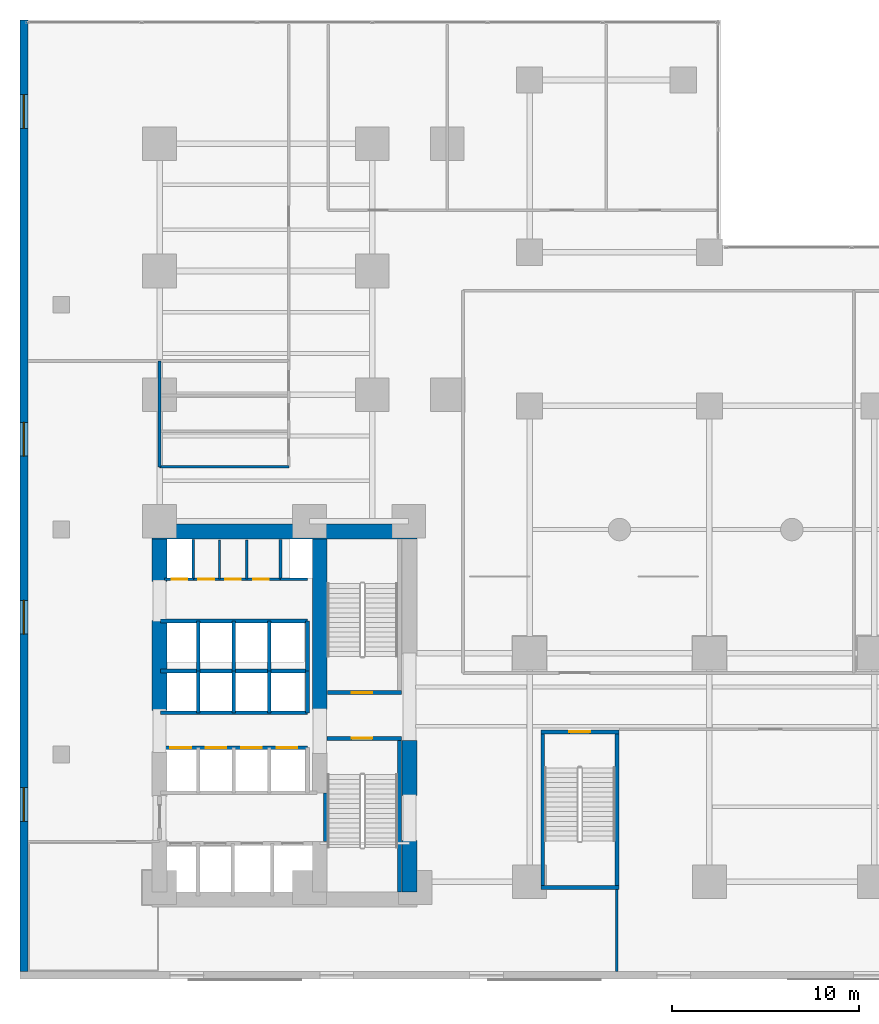
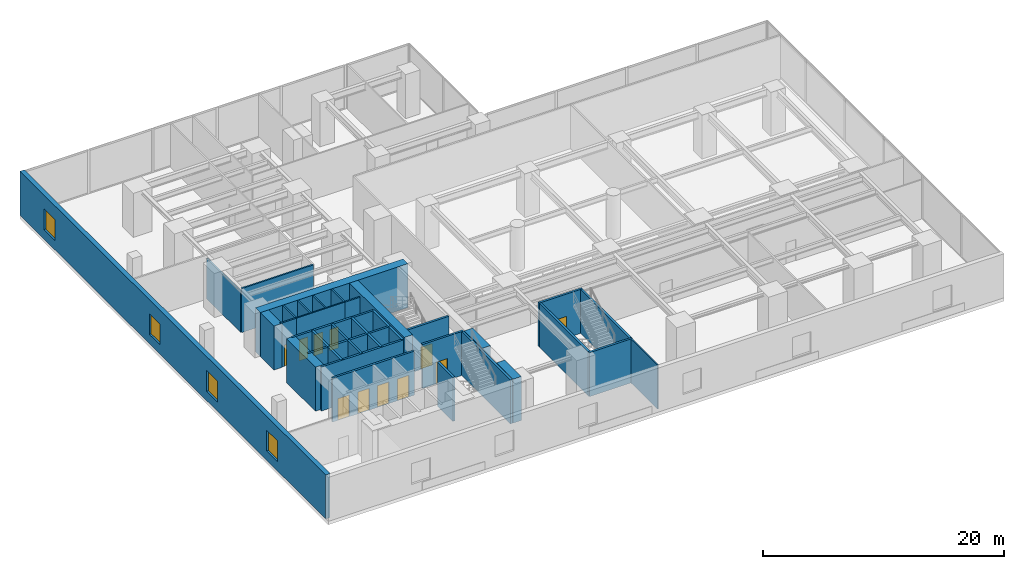
# One storey, part 12 of 16: 37 walls, 11 doors, 4 windows, 15 openings.
"""IFC4 building model written with IfcOpenShell, lengths in metres."""

from ifc_helpers import new_model, si_unit, direction, frame, frame_2d, origin, place, context, subcontext, project, spatial, rectangle, extrude, material, layer, layer_set, type_object, element, fill, save


model = new_model("IFC4")

# Units and contexts
model_context = context("Model", 3, precision=1e-05, world=origin(), true_north=direction((0.0, 1.0)))
body_context = subcontext(model_context, "Body", "Model", "MODEL_VIEW")
ifc_project = project(units=[si_unit("LENGTHUNIT", "METRE"), si_unit("AREAUNIT", "SQUARE_METRE"), si_unit("VOLUMEUNIT", "CUBIC_METRE"), si_unit("PLANEANGLEUNIT", "RADIAN"), si_unit("MASSUNIT", "GRAM", prefix="KILO")], contexts=[model_context])

# Site, building, storey
site_placement = place(None, origin())
site = spatial("IfcSite", under=ifc_project, at=site_placement, CompositionType="ELEMENT")
building_placement = place(site_placement, origin())
building = spatial("IfcBuilding", under=site, at=building_placement, Name="Kolvaren Waterfront Exchange", CompositionType="ELEMENT")
storey_placement = place(building_placement, frame((0.0, 0.0, 10.39990234375)))
storey = spatial("IfcBuildingStorey", under=building, at=storey_placement, Name="L03", CompositionType="ELEMENT", Elevation=10.39990234375)

# Wall, openings, windows
ifc_material_1 = material(Name="Precast concrete C40/50", Category="concrete")
ifc_layer_1 = layer(ifc_material_1, 0.419921875, Name="Precast concrete C40/50")
ifc_layer_set_1 = layer_set([ifc_layer_1], Name="Precast concrete C40/50")
wall_type_1 = type_object("IfcWallType", Name="ARC-EXT-GRANITE-420", PredefinedType="SOLIDWALL", material=ifc_layer_set_1)
wall_1_placement = place(storey_placement, frame((0.2099609375, 0.419921875, 0.0), z_axis=(0.0, 0.0, 1.0), x_axis=(0.0, 1.0, 0.0)))
wall_1 = element("IfcWall", 1, at=wall_1_placement, inside=storey, type_object=wall_type_1, Name="L03 west granite precast facade wall", PredefinedType="SOLIDWALL", context=body_context, shape_type="SweptSolid", body=[
    extrude(rectangle(XDim=50.780029296875, YDim=0.419921875, at=frame_2d((25.39013671875, 0.0))), origin(), (0.0, 0.0, 1.0), 4.460205078125),
])
opening_1_placement = place(wall_1_placement, frame((8.0, 0.0, 0.949951171875)))
opening_1 = element("IfcOpeningElement", 2, at=opening_1_placement, cuts=wall_1, Name="Opening W03", PredefinedType="OPENING", context=body_context, shape_type="SweptSolid", body=[
    extrude(rectangle(XDim=1.800048828125, YDim=2.10009765625, at=frame_2d((0.89990234375, 1.050048828125))), frame((0.0, 0.219970703125, 0.0), z_axis=(0.0, -1.0, 0.0), x_axis=(1.0, 0.0, 0.0)), (0.0, 0.0, 1.0), 0.43994140625),
])
opening_2_placement = place(wall_1_placement, frame((18.0, 0.0, 0.949951171875)))
opening_2 = element("IfcOpeningElement", 3, at=opening_2_placement, cuts=wall_1, Name="Opening W03", PredefinedType="OPENING", context=body_context, shape_type="SweptSolid", body=[
    extrude(rectangle(XDim=1.800048828125, YDim=2.10009765625, at=frame_2d((0.89990234375, 1.050048828125))), frame((0.0, 0.219970703125, 0.0), z_axis=(0.0, -1.0, 0.0), x_axis=(1.0, 0.0, 0.0)), (0.0, 0.0, 1.0), 0.43994140625),
])
opening_3_placement = place(wall_1_placement, frame((27.5, 0.0, 0.949951171875)))
opening_3 = element("IfcOpeningElement", 4, at=opening_3_placement, cuts=wall_1, Name="Opening W03", PredefinedType="OPENING", context=body_context, shape_type="SweptSolid", body=[
    extrude(rectangle(XDim=1.800048828125, YDim=2.10009765625, at=frame_2d((0.89990234375, 1.050048828125))), frame((0.0, 0.219970703125, 0.0), z_axis=(0.0, -1.0, 0.0), x_axis=(1.0, 0.0, 0.0)), (0.0, 0.0, 1.0), 0.43994140625),
])
opening_4_placement = place(wall_1_placement, frame((45.0, 0.0, 0.949951171875)))
opening_4 = element("IfcOpeningElement", 5, at=opening_4_placement, cuts=wall_1, Name="Opening W03", PredefinedType="OPENING", context=body_context, shape_type="SweptSolid", body=[
    extrude(rectangle(XDim=1.800048828125, YDim=2.10009765625, at=frame_2d((0.89990234375, 1.050048828125))), frame((0.0, 0.219970703125, 0.0), z_axis=(0.0, -1.0, 0.0), x_axis=(1.0, 0.0, 0.0)), (0.0, 0.0, 1.0), 0.43994140625),
])
ifc_material_2 = material(Name="Bronze solar control vision glass", Category="aluminium")
window_type = type_object("IfcWindowType", Name="ARC-WIN-1800x2100", PartitioningType="SINGLE_PANEL", PredefinedType="WINDOW", material=ifc_material_2)
window_1_placement = place(opening_1_placement, origin())
window_1 = element("IfcWindow", 6, at=window_1_placement, inside=storey, type_object=window_type, Name="L03 west modular window 1", OverallHeight=2.10009765625, OverallWidth=1.800048828125, PartitioningType="SINGLE_PANEL", PredefinedType="WINDOW", context=body_context, shape_type="SweptSolid", body=[
    extrude(rectangle(XDim=1.800048828125, YDim=2.10009765625, at=frame_2d((0.89990234375, 1.050048828125))), frame((0.0, 0.030029296875, 0.0), z_axis=(0.0, -1.0, 0.0), x_axis=(1.0, 0.0, 0.0)), (0.0, 0.0, 1.0), 0.06005859375),
])
fill(opening_1, window_1)
window_2_placement = place(opening_2_placement, origin())
window_2 = element("IfcWindow", 7, at=window_2_placement, inside=storey, type_object=window_type, Name="L03 west modular window 2", OverallHeight=2.10009765625, OverallWidth=1.800048828125, PartitioningType="SINGLE_PANEL", PredefinedType="WINDOW", context=body_context, shape_type="SweptSolid", body=[
    extrude(rectangle(XDim=1.800048828125, YDim=2.10009765625, at=frame_2d((0.89990234375, 1.050048828125))), frame((0.0, 0.030029296875, 0.0), z_axis=(0.0, -1.0, 0.0), x_axis=(1.0, 0.0, 0.0)), (0.0, 0.0, 1.0), 0.06005859375),
])
fill(opening_2, window_2)
window_3_placement = place(opening_3_placement, origin())
window_3 = element("IfcWindow", 8, at=window_3_placement, inside=storey, type_object=window_type, Name="L03 west modular window 3", OverallHeight=2.10009765625, OverallWidth=1.800048828125, PartitioningType="SINGLE_PANEL", PredefinedType="WINDOW", context=body_context, shape_type="SweptSolid", body=[
    extrude(rectangle(XDim=1.800048828125, YDim=2.10009765625, at=frame_2d((0.89990234375, 1.050048828125))), frame((0.0, 0.030029296875, 0.0), z_axis=(0.0, -1.0, 0.0), x_axis=(1.0, 0.0, 0.0)), (0.0, 0.0, 1.0), 0.06005859375),
])
fill(opening_3, window_3)
window_4_placement = place(opening_4_placement, origin())
window_4 = element("IfcWindow", 9, at=window_4_placement, inside=storey, type_object=window_type, Name="L03 west modular window 4", OverallHeight=2.10009765625, OverallWidth=1.800048828125, PartitioningType="SINGLE_PANEL", PredefinedType="WINDOW", context=body_context, shape_type="SweptSolid", body=[
    extrude(rectangle(XDim=1.800048828125, YDim=2.10009765625, at=frame_2d((0.89990234375, 1.050048828125))), frame((0.0, 0.030029296875, 0.0), z_axis=(0.0, -1.0, 0.0), x_axis=(1.0, 0.0, 0.0)), (0.0, 0.0, 1.0), 0.06005859375),
])
fill(opening_4, window_4)

# Wall, opening, door
ifc_layer_2 = layer(ifc_material_1, 0.199951171875, Name="Precast concrete C40/50")
ifc_layer_set_2 = layer_set([ifc_layer_2], Name="Precast concrete C40/50")
wall_type_2 = type_object("IfcWallType", Name="ARC-FIRE-200", PredefinedType="PARTITIONING", material=ifc_layer_set_2)
wall_2_placement = place(storey_placement, frame((16.39990234375, 12.85009765625, 0.0), z_axis=(0.0, 0.0, 1.0), x_axis=(1.0, 0.0, 0.0)))
wall_2 = element("IfcWall", 10, at=wall_2_placement, inside=storey, type_object=wall_type_2, Name="L03 interior wall PW-L03-ST1-THROAT-S", PredefinedType="PARTITIONING", context=body_context, shape_type="SweptSolid", body=[
    extrude(rectangle(XDim=3.960205078125, YDim=0.199951171875, at=frame_2d((1.97998046875, 0.0))), origin(), (0.0, 0.0, 1.0), 4.460205078125),
])
opening_5_placement = place(wall_2_placement, frame((1.3037109375, 0.0, 0.0)))
opening_5 = element("IfcOpeningElement", 11, at=opening_5_placement, cuts=wall_2, Name="Opening FD2", PredefinedType="OPENING", context=body_context, shape_type="SweptSolid", body=[
    extrude(rectangle(XDim=1.10009765625, YDim=2.199951171875, at=frame_2d((0.550048828125, 1.10009765625))), frame((0.0, 0.10986328125, 0.0), z_axis=(0.0, -1.0, 0.0), x_axis=(1.0, 0.0, 0.0)), (0.0, 0.0, 1.0), 0.219970703125),
])
ifc_material_3 = material(Name="Pressed steel smoke-seal fire door", Category="steel")
door_type_1 = type_object("IfcDoorType", Name="ARC-FD-1100", OperationType="NOTDEFINED", PredefinedType="DOOR", material=ifc_material_3)
door_1_placement = place(opening_5_placement, frame((1.10009765625, 0.0, 0.0), z_axis=(0.0, 0.0, 1.0), x_axis=(-1.0, 0.0, 0.0)))
door_1 = element("IfcDoor", 12, at=door_1_placement, inside=storey, type_object=door_type_1, Name="L03 door DR-L03-ST1-IN (FD2)", OperationType="SINGLE_SWING_RIGHT", OverallHeight=2.199951171875, OverallWidth=1.10009765625, PredefinedType="DOOR", context=body_context, shape_type="SweptSolid", body=[
    extrude(rectangle(XDim=1.10009765625, YDim=2.199951171875, at=frame_2d((0.550048828125, 1.10009765625))), frame((0.0, 0.02490234375, 0.0), z_axis=(0.0, -1.0, 0.0), x_axis=(1.0, 0.0, 0.0)), (0.0, 0.0, 1.0), 0.050048828125),
])
fill(opening_5, door_1)

wall_3_placement = place(storey_placement, frame((16.409912109375, 15.300048828125, 0.0), z_axis=(0.0, 0.0, 1.0), x_axis=(1.0, 0.0, 0.0)))
wall_3 = element("IfcWall", 13, at=wall_3_placement, inside=storey, type_object=wall_type_2, Name="L03 interior wall PW-L03-ST2-THROAT-N", PredefinedType="PARTITIONING", context=body_context, shape_type="SweptSolid", body=[
    extrude(rectangle(XDim=3.9501953125, YDim=0.199951171875, at=frame_2d((1.97509765625, 0.0))), origin(), (0.0, 0.0, 1.0), 4.460205078125),
])
opening_6_placement = place(wall_3_placement, frame((1.293701171875, 0.0, 0.0)))
opening_6 = element("IfcOpeningElement", 14, at=opening_6_placement, cuts=wall_3, Name="Opening FD2", PredefinedType="OPENING", context=body_context, shape_type="SweptSolid", body=[
    extrude(rectangle(XDim=1.10009765625, YDim=2.199951171875, at=frame_2d((0.550048828125, 1.10009765625))), frame((0.0, 0.10986328125, 0.0), z_axis=(0.0, -1.0, 0.0), x_axis=(1.0, 0.0, 0.0)), (0.0, 0.0, 1.0), 0.219970703125),
])
door_2_placement = place(opening_6_placement, origin())
door_2 = element("IfcDoor", 15, at=door_2_placement, inside=storey, type_object=door_type_1, Name="L03 door DR-L03-ST2-IN (FD2)", OperationType="SINGLE_SWING_LEFT", OverallHeight=2.199951171875, OverallWidth=1.10009765625, PredefinedType="DOOR", context=body_context, shape_type="SweptSolid", body=[
    extrude(rectangle(XDim=1.10009765625, YDim=2.199951171875, at=frame_2d((0.550048828125, 1.10009765625))), frame((0.0, 0.02490234375, 0.0), z_axis=(0.0, -1.0, 0.0), x_axis=(1.0, 0.0, 0.0)), (0.0, 0.0, 1.0), 0.050048828125),
])
fill(opening_6, door_2)

# Wall, openings, doors
ifc_material_4 = material(Name="Acoustic gypsum steel stud", Category="steel")
ifc_layer_3 = layer(ifc_material_4, 0.125, Name="Acoustic gypsum steel stud")
ifc_layer_set_3 = layer_set([ifc_layer_3], Name="Acoustic gypsum steel stud")
wall_type_3 = type_object("IfcWallType", Name="ARC-PART-125", PredefinedType="PARTITIONING", material=ifc_layer_set_3)
wall_4_placement = place(storey_placement, frame((9.25, 21.35009765625, 0.0), z_axis=(0.0, 0.0, 1.0), x_axis=(1.0, 0.0, 0.0)))
wall_4 = element("IfcWall", 16, at=wall_4_placement, inside=storey, type_object=wall_type_3, Name="L03 interior wall PW-L03-SVC-EX-S", PredefinedType="PARTITIONING", context=body_context, shape_type="SweptSolid", body=[
    extrude(rectangle(XDim=4.64990234375, YDim=0.125, at=frame_2d((2.324951171875, 0.0))), origin(), (0.0, 0.0, 1.0), 4.460205078125),
])
opening_7_placement = place(wall_4_placement, frame((0.264892578125, 0.0, 0.0)))
opening_7 = element("IfcOpeningElement", 17, at=opening_7_placement, cuts=wall_4, Name="Opening D01", PredefinedType="OPENING", context=body_context, shape_type="SweptSolid", body=[
    extrude(rectangle(XDim=0.85009765625, YDim=2.14990234375, at=frame_2d((0.425048828125, 1.074951171875))), frame((0.0, 0.072509765625, 0.0), z_axis=(0.0, -1.0, 0.0), x_axis=(1.0, 0.0, 0.0)), (0.0, 0.0, 1.0), 0.14501953125),
])
opening_8_placement = place(wall_4_placement, frame((1.695068359375, 0.0, 0.0)))
opening_8 = element("IfcOpeningElement", 18, at=opening_8_placement, cuts=wall_4, Name="Opening D01", PredefinedType="OPENING", context=body_context, shape_type="SweptSolid", body=[
    extrude(rectangle(XDim=0.85009765625, YDim=2.14990234375, at=frame_2d((0.425048828125, 1.074951171875))), frame((0.0, 0.072509765625, 0.0), z_axis=(0.0, -1.0, 0.0), x_axis=(1.0, 0.0, 0.0)), (0.0, 0.0, 1.0), 0.14501953125),
])
opening_9_placement = place(wall_4_placement, frame((3.18994140625, 0.0, 0.0)))
opening_9 = element("IfcOpeningElement", 19, at=opening_9_placement, cuts=wall_4, Name="Opening D01", PredefinedType="OPENING", context=body_context, shape_type="SweptSolid", body=[
    extrude(rectangle(XDim=0.85009765625, YDim=2.14990234375, at=frame_2d((0.425048828125, 1.074951171875))), frame((0.0, 0.072509765625, 0.0), z_axis=(0.0, -1.0, 0.0), x_axis=(1.0, 0.0, 0.0)), (0.0, 0.0, 1.0), 0.14501953125),
])
ifc_material_5 = material(Name="Oak veneer timber leaf", Category="wood")
door_type_2 = type_object("IfcDoorType", Name="ARC-DR-900", OperationType="NOTDEFINED", PredefinedType="DOOR", material=ifc_material_5)
door_3_placement = place(opening_7_placement, origin())
door_3 = element("IfcDoor", 20, at=door_3_placement, inside=storey, type_object=door_type_2, Name="L03 door DR-L03-SVC-DR-1 (D01)", OperationType="SINGLE_SWING_LEFT", OverallHeight=2.14990234375, OverallWidth=0.85009765625, PredefinedType="DOOR", context=body_context, shape_type="SweptSolid", body=[
    extrude(rectangle(XDim=0.85009765625, YDim=2.14990234375, at=frame_2d((0.425048828125, 1.074951171875))), frame((0.0, 0.02490234375, 0.0), z_axis=(0.0, -1.0, 0.0), x_axis=(1.0, 0.0, 0.0)), (0.0, 0.0, 1.0), 0.050048828125),
])
fill(opening_7, door_3)
door_4_placement = place(opening_8_placement, origin())
door_4 = element("IfcDoor", 21, at=door_4_placement, inside=storey, type_object=door_type_2, Name="L03 door DR-L03-SVC-DR-2 (D01)", OperationType="SINGLE_SWING_RIGHT", OverallHeight=2.14990234375, OverallWidth=0.85009765625, PredefinedType="DOOR", context=body_context, shape_type="SweptSolid", body=[
    extrude(rectangle(XDim=0.85009765625, YDim=2.14990234375, at=frame_2d((0.425048828125, 1.074951171875))), frame((0.0, 0.02490234375, 0.0), z_axis=(0.0, -1.0, 0.0), x_axis=(1.0, 0.0, 0.0)), (0.0, 0.0, 1.0), 0.050048828125),
])
fill(opening_8, door_4)
door_5_placement = place(opening_9_placement, origin())
door_5 = element("IfcDoor", 22, at=door_5_placement, inside=storey, type_object=door_type_2, Name="L03 door DR-L03-SVC-DR-3 (D01)", OperationType="SINGLE_SWING_LEFT", OverallHeight=2.14990234375, OverallWidth=0.85009765625, PredefinedType="DOOR", context=body_context, shape_type="SweptSolid", body=[
    extrude(rectangle(XDim=0.85009765625, YDim=2.14990234375, at=frame_2d((0.425048828125, 1.074951171875))), frame((0.0, 0.02490234375, 0.0), z_axis=(0.0, -1.0, 0.0), x_axis=(1.0, 0.0, 0.0)), (0.0, 0.0, 1.0), 0.050048828125),
])
fill(opening_9, door_5)

# Walls
for number, where, z_axis, x_axis, name in (
    (23, (10.64990234375, 21.35009765625, 0.0), (0.0, 0.0, 1.0), (0.0, 1.0, 0.0), "L03 interior wall PW-L03-SVC-EX-A"),
    (24, (12.10009765625, 21.35009765625, 0.0), (0.0, 0.0, 1.0), (0.0, 1.0, 0.0), "L03 interior wall PW-L03-SVC-EX-B"),
):
    element("IfcWall", number, at=place(storey_placement, frame(where, z_axis=z_axis, x_axis=x_axis)), inside=storey, type_object=wall_type_3, Name=name, PredefinedType="PARTITIONING", context=body_context, shape_type="SweptSolid", body=[
        extrude(rectangle(XDim=2.099853515625, YDim=0.125, at=frame_2d((1.0498046875, 0.0))), origin(), (0.0, 0.0, 1.0), 4.460205078125),
    ])
wall_5_placement = place(storey_placement, frame((31.860107421875, 0.419921875, 0.0), z_axis=(0.0, 0.0, 1.0), x_axis=(0.0, 1.0, 0.0)))
element("IfcWall", 25, at=wall_5_placement, inside=storey, type_object=wall_type_3, Name="L03 interior wall PW-L03-POD-SE-W", PredefinedType="PARTITIONING", context=body_context, shape_type="SweptSolid", body=[
    extrude(rectangle(XDim=4.380126953125, YDim=0.125, at=frame_2d((2.18994140625, 0.0))), origin(), (0.0, 0.0, 1.0), 4.460205078125),
])
ifc_material_6 = material(Name="Gypsum fireboard steel stud", Category="steel")
ifc_layer_4 = layer(ifc_material_6, 0.14990234375, Name="Gypsum fireboard steel stud")
ifc_layer_set_4 = layer_set([ifc_layer_4], Name="Gypsum fireboard steel stud")
wall_type_4 = type_object("IfcWallType", Name="ARC-PART-150", PredefinedType="PARTITIONING", material=ifc_layer_set_4)
for number, where, z_axis, x_axis, name in (
    (26, (9.25, 21.35009765625, 0.0), (0.0, 0.0, 1.0), (0.0, 1.0, 0.0), "L03 interior wall PW-L03-SVC-R1"),
    (27, (13.89990234375, 21.35009765625, 0.0), (0.0, 0.0, 1.0), (0.0, 1.0, 0.0), "L03 interior wall PW-L03-SVC-R2"),
):
    element("IfcWall", number, at=place(storey_placement, frame(where, z_axis=z_axis, x_axis=x_axis)), inside=storey, type_object=wall_type_4, Name=name, PredefinedType="PARTITIONING", context=body_context, shape_type="SweptSolid", body=[
        extrude(rectangle(XDim=2.1298828125, YDim=0.14990234375, at=frame_2d((1.06494140625, 0.0))), origin(), (0.0, 0.0, 1.0), 4.460205078125),
    ])

# Wall, opening, door
wall_6_placement = place(storey_placement, frame((7.699951171875, 21.35009765625, 0.0), z_axis=(0.0, 0.0, 1.0), x_axis=(1.0, 0.0, 0.0)))
wall_6 = element("IfcWall", 28, at=wall_6_placement, inside=storey, type_object=wall_type_4, Name="L03 interior wall PW-L03-SVC-RE-S", PredefinedType="PARTITIONING", context=body_context, shape_type="SweptSolid", body=[
    extrude(rectangle(XDim=1.550048828125, YDim=0.14990234375, at=frame_2d((0.77490234375, 0.0))), origin(), (0.0, 0.0, 1.0), 4.460205078125),
])
opening_10_placement = place(wall_6_placement, frame((0.389892578125, 0.0, 0.0)))
opening_10 = element("IfcOpeningElement", 29, at=opening_10_placement, cuts=wall_6, Name="Opening FD1", PredefinedType="OPENING", context=body_context, shape_type="SweptSolid", body=[
    extrude(rectangle(XDim=0.85009765625, YDim=2.14990234375, at=frame_2d((0.425048828125, 1.074951171875))), frame((0.0, 0.0849609375, 0.0), z_axis=(0.0, -1.0, 0.0), x_axis=(1.0, 0.0, 0.0)), (0.0, 0.0, 1.0), 0.169921875),
])
ifc_material_7 = material(Name="Pressed steel fire leaf", Category="steel")
door_type_3 = type_object("IfcDoorType", Name="ARC-FD-900", OperationType="NOTDEFINED", PredefinedType="DOOR", material=ifc_material_7)
door_6_placement = place(opening_10_placement, origin())
door_6 = element("IfcDoor", 30, at=door_6_placement, inside=storey, type_object=door_type_3, Name="L03 door DR-L03-RISER-E-DR (FD1)", OperationType="SINGLE_SWING_RIGHT", OverallHeight=2.14990234375, OverallWidth=0.85009765625, PredefinedType="DOOR", context=body_context, shape_type="SweptSolid", body=[
    extrude(rectangle(XDim=0.85009765625, YDim=2.14990234375, at=frame_2d((0.425048828125, 1.074951171875))), frame((0.0, 0.02490234375, 0.0), z_axis=(0.0, -1.0, 0.0), x_axis=(1.0, 0.0, 0.0)), (0.0, 0.0, 1.0), 0.050048828125),
])
fill(opening_10, door_6)

# Walls
wall_7_placement = place(storey_placement, frame((13.89990234375, 21.35009765625, 0.0), z_axis=(0.0, 0.0, 1.0), x_axis=(1.0, 0.0, 0.0)))
element("IfcWall", 31, at=wall_7_placement, inside=storey, type_object=wall_type_4, Name="L03 interior wall PW-L03-SVC-RP-S", PredefinedType="PARTITIONING", context=body_context, shape_type="SweptSolid", body=[
    extrude(rectangle(XDim=1.4501953125, YDim=0.14990234375, at=frame_2d((0.72509765625, 0.0))), origin(), (0.0, 0.0, 1.0), 4.460205078125),
])
ifc_material_8 = material(Name="Moisture-resistant gypsum stud")
ifc_layer_5 = layer(ifc_material_8, 0.14990234375, Name="Moisture-resistant gypsum stud")
ifc_layer_set_5 = layer_set([ifc_layer_5], Name="Moisture-resistant gypsum stud")
wall_type_5 = type_object("IfcWallType", Name="ARC-PLUMB-150", PredefinedType="PLUMBINGWALL", material=ifc_layer_set_5)
wall_8_placement = place(storey_placement, frame((7.449951171875, 27.35009765625, 0.0), z_axis=(0.0, 0.0, 1.0), x_axis=(1.0, 0.0, 0.0)))
element("IfcWall", 32, at=wall_8_placement, inside=storey, type_object=wall_type_5, Name="L03 interior wall PW-L03-WC-S0", PredefinedType="PLUMBINGWALL", context=body_context, shape_type="SweptSolid", body=[
    extrude(rectangle(XDim=6.900146484375, YDim=0.14990234375, at=frame_2d((3.4501953125, 0.0))), origin(), (0.0, 0.0, 1.0), 4.460205078125),
])
wall_9_placement = place(storey_placement, frame((7.449951171875, 27.35009765625, 0.0), z_axis=(0.0, 0.0, 1.0), x_axis=(0.0, 1.0, 0.0)))
element("IfcWall", 33, at=wall_9_placement, inside=storey, type_object=wall_type_5, Name="L03 interior wall PW-L03-WC-W0", PredefinedType="PLUMBINGWALL", context=body_context, shape_type="SweptSolid", body=[
    extrude(rectangle(XDim=5.64990234375, YDim=0.14990234375, at=frame_2d((2.824951171875, 0.0))), origin(), (0.0, 0.0, 1.0), 4.10009765625),
])
ifc_material_9 = material(Name="Concrete C40/50", Category="concrete")
ifc_layer_6 = layer(ifc_material_9, 0.199951171875, Name="Concrete C40/50")
ifc_layer_set_6 = layer_set([ifc_layer_6], Name="Concrete C40/50")
wall_type_6 = type_object("IfcWallType", Name="ARC-SHAFT-200", PredefinedType="PARTITIONING", material=ifc_layer_set_6)
wall_10_placement = place(storey_placement, frame((16.300048828125, 7.360107421875, 0.0), z_axis=(0.0, 0.0, 1.0), x_axis=(0.0, 1.0, 0.0)))
element("IfcWall", 34, at=wall_10_placement, inside=storey, type_object=wall_type_6, Name="L03 structural stairwell wall PW-L03-ST1-W", PredefinedType="SHEAR", context=body_context, shape_type="SweptSolid", body=[
    extrude(rectangle(XDim=2.579833984375, YDim=0.199951171875, at=frame_2d((1.2900390625, 0.0))), origin(), (0.0, 0.0, 1.0), 4.460205078125),
])
wall_11_placement = place(storey_placement, frame((20.260009765625, 4.659912109375, 0.0), z_axis=(0.0, 0.0, 1.0), x_axis=(0.0, 1.0, 0.0)))
element("IfcWall", 35, at=wall_11_placement, inside=storey, type_object=wall_type_6, Name="L03 structural stairwell wall PW-L03-ST1-E", PredefinedType="SHEAR", context=body_context, shape_type="SweptSolid", body=[
    extrude(rectangle(XDim=8.090087890625, YDim=0.199951171875, at=frame_2d((4.044921875, 0.0))), origin(), (0.0, 0.0, 1.0), 4.460205078125),
])
for number, where, z_axis, x_axis, name in (
    (36, (27.89990234375, 5.0, 0.0), (0.0, 0.0, 1.0), (0.0, 1.0, 0.0), "L03 structural stairwell wall PW-L03-ST3-W"),
    (37, (31.860107421875, 5.0, 0.0), (0.0, 0.0, 1.0), (0.0, 1.0, 0.0), "L03 structural stairwell wall PW-L03-ST3-E"),
):
    element("IfcWall", number, at=place(storey_placement, frame(where, z_axis=z_axis, x_axis=x_axis)), inside=storey, type_object=wall_type_6, Name=name, PredefinedType="SHEAR", context=body_context, shape_type="SweptSolid", body=[
        extrude(rectangle(XDim=8.10009765625, YDim=0.199951171875, at=frame_2d((4.050048828125, 0.0))), origin(), (0.0, 0.0, 1.0), 4.460205078125),
    ])
wall_12_placement = place(storey_placement, frame((27.800048828125, 4.89990234375, 0.0), z_axis=(0.0, 0.0, 1.0), x_axis=(1.0, 0.0, 0.0)))
element("IfcWall", 38, at=wall_12_placement, inside=storey, type_object=wall_type_6, Name="L03 structural stairwell wall PW-L03-ST3-S", PredefinedType="SHEAR", context=body_context, shape_type="SweptSolid", body=[
    extrude(rectangle(XDim=4.159912109375, YDim=0.199951171875, at=frame_2d((2.080078125, 0.0))), origin(), (0.0, 0.0, 1.0), 4.460205078125),
])

# Wall, opening, door
wall_13_placement = place(storey_placement, frame((27.800048828125, 13.199951171875, 0.0), z_axis=(0.0, 0.0, 1.0), x_axis=(1.0, 0.0, 0.0)))
wall_13 = element("IfcWall", 39, at=wall_13_placement, inside=storey, type_object=wall_type_6, Name="L03 structural stairwell wall PW-L03-ST3-N", PredefinedType="SHEAR", context=body_context, shape_type="SweptSolid", body=[
    extrude(rectangle(XDim=4.159912109375, YDim=0.199951171875, at=frame_2d((2.080078125, 0.0))), origin(), (0.0, 0.0, 1.0), 4.460205078125),
])
opening_11_placement = place(wall_13_placement, frame((1.530029296875, 0.0, 0.0)))
opening_11 = element("IfcOpeningElement", 40, at=opening_11_placement, cuts=wall_13, Name="Opening FD2", PredefinedType="OPENING", context=body_context, shape_type="SweptSolid", body=[
    extrude(rectangle(XDim=1.10009765625, YDim=2.199951171875, at=frame_2d((0.550048828125, 1.10009765625))), frame((0.0, 0.10986328125, 0.0), z_axis=(0.0, -1.0, 0.0), x_axis=(1.0, 0.0, 0.0)), (0.0, 0.0, 1.0), 0.219970703125),
])
door_7_placement = place(opening_11_placement, frame((1.10009765625, 0.0, 0.0), z_axis=(0.0, 0.0, 1.0), x_axis=(-1.0, 0.0, 0.0)))
door_7 = element("IfcDoor", 41, at=door_7_placement, inside=storey, type_object=door_type_1, Name="L03 door DR-L03-ST3-IN (FD2)", OperationType="SINGLE_SWING_RIGHT", OverallHeight=2.199951171875, OverallWidth=1.10009765625, PredefinedType="DOOR", context=body_context, shape_type="SweptSolid", body=[
    extrude(rectangle(XDim=1.10009765625, YDim=2.199951171875, at=frame_2d((0.550048828125, 1.10009765625))), frame((0.0, 0.02490234375, 0.0), z_axis=(0.0, -1.0, 0.0), x_axis=(1.0, 0.0, 0.0)), (0.0, 0.0, 1.0), 0.050048828125),
])
fill(opening_11, door_7)

# Wall, openings, doors
wall_14_placement = place(storey_placement, frame((7.5, 12.360107421875, 0.0), z_axis=(0.0, 0.0, 1.0), x_axis=(1.0, 0.0, 0.0)))
wall_14 = element("IfcWall", 42, at=wall_14_placement, inside=storey, type_object=wall_type_6, Name="L03 interior wall PW-L03-PL-N", PredefinedType="PARTITIONING", context=body_context, shape_type="SweptSolid", body=[
    extrude(rectangle(XDim=7.85009765625, YDim=0.199951171875, at=frame_2d((3.925048828125, 0.0))), origin(), (0.0, 0.0, 1.0), 4.460205078125),
])
opening_12_placement = place(wall_14_placement, frame((0.530029296875, 0.0, 0.0)))
opening_12 = element("IfcOpeningElement", 43, at=opening_12_placement, cuts=wall_14, Name="Opening LD2", PredefinedType="OPENING", context=body_context, shape_type="SweptSolid", body=[
    extrude(rectangle(XDim=1.10009765625, YDim=2.199951171875, at=frame_2d((0.550048828125, 1.10009765625))), frame((0.0, 0.10986328125, 0.0), z_axis=(0.0, -1.0, 0.0), x_axis=(1.0, 0.0, 0.0)), (0.0, 0.0, 1.0), 0.219970703125),
])
opening_13_placement = place(wall_14_placement, frame((2.419921875, 0.0, 0.0)))
opening_13 = element("IfcOpeningElement", 44, at=opening_13_placement, cuts=wall_14, Name="Opening LD2", PredefinedType="OPENING", context=body_context, shape_type="SweptSolid", body=[
    extrude(rectangle(XDim=1.10009765625, YDim=2.199951171875, at=frame_2d((0.550048828125, 1.10009765625))), frame((0.0, 0.10986328125, 0.0), z_axis=(0.0, -1.0, 0.0), x_axis=(1.0, 0.0, 0.0)), (0.0, 0.0, 1.0), 0.219970703125),
])
opening_14_placement = place(wall_14_placement, frame((4.31005859375, 0.0, 0.0)))
opening_14 = element("IfcOpeningElement", 45, at=opening_14_placement, cuts=wall_14, Name="Opening LD2", PredefinedType="OPENING", context=body_context, shape_type="SweptSolid", body=[
    extrude(rectangle(XDim=1.10009765625, YDim=2.199951171875, at=frame_2d((0.550048828125, 1.10009765625))), frame((0.0, 0.10986328125, 0.0), z_axis=(0.0, -1.0, 0.0), x_axis=(1.0, 0.0, 0.0)), (0.0, 0.0, 1.0), 0.219970703125),
])
opening_15_placement = place(wall_14_placement, frame((6.199951171875, 0.0, 0.0)))
opening_15 = element("IfcOpeningElement", 46, at=opening_15_placement, cuts=wall_14, Name="Opening LD2", PredefinedType="OPENING", context=body_context, shape_type="SweptSolid", body=[
    extrude(rectangle(XDim=1.10009765625, YDim=2.199951171875, at=frame_2d((0.550048828125, 1.10009765625))), frame((0.0, 0.10986328125, 0.0), z_axis=(0.0, -1.0, 0.0), x_axis=(1.0, 0.0, 0.0)), (0.0, 0.0, 1.0), 0.219970703125),
])
ifc_material_10 = material(Name="Brushed bronze sliding landing door", Category="aluminium")
door_type_4 = type_object("IfcDoorType", Name="ARC-LD-PAX", OperationType="SLIDING_TO_LEFT", PredefinedType="DOOR", material=ifc_material_10)
door_8_placement = place(opening_12_placement, origin())
door_8 = element("IfcDoor", 47, at=door_8_placement, inside=storey, type_object=door_type_4, Name="L03 door LD-L03-PL1 (LD2)", OperationType="SLIDING_TO_LEFT", OverallHeight=2.199951171875, OverallWidth=1.10009765625, PredefinedType="DOOR", context=body_context, shape_type="SweptSolid", body=[
    extrude(rectangle(XDim=1.10009765625, YDim=2.199951171875, at=frame_2d((0.550048828125, 1.10009765625))), frame((0.0, 0.02490234375, 0.0), z_axis=(0.0, -1.0, 0.0), x_axis=(1.0, 0.0, 0.0)), (0.0, 0.0, 1.0), 0.050048828125),
])
fill(opening_12, door_8)
door_9_placement = place(opening_13_placement, origin())
door_9 = element("IfcDoor", 48, at=door_9_placement, inside=storey, type_object=door_type_4, Name="L03 door LD-L03-PL2 (LD2)", OperationType="SLIDING_TO_LEFT", OverallHeight=2.199951171875, OverallWidth=1.10009765625, PredefinedType="DOOR", context=body_context, shape_type="SweptSolid", body=[
    extrude(rectangle(XDim=1.10009765625, YDim=2.199951171875, at=frame_2d((0.550048828125, 1.10009765625))), frame((0.0, 0.02490234375, 0.0), z_axis=(0.0, -1.0, 0.0), x_axis=(1.0, 0.0, 0.0)), (0.0, 0.0, 1.0), 0.050048828125),
])
fill(opening_13, door_9)
door_10_placement = place(opening_14_placement, origin())
door_10 = element("IfcDoor", 49, at=door_10_placement, inside=storey, type_object=door_type_4, Name="L03 door LD-L03-PL3 (LD2)", OperationType="SLIDING_TO_LEFT", OverallHeight=2.199951171875, OverallWidth=1.10009765625, PredefinedType="DOOR", context=body_context, shape_type="SweptSolid", body=[
    extrude(rectangle(XDim=1.10009765625, YDim=2.199951171875, at=frame_2d((0.550048828125, 1.10009765625))), frame((0.0, 0.02490234375, 0.0), z_axis=(0.0, -1.0, 0.0), x_axis=(1.0, 0.0, 0.0)), (0.0, 0.0, 1.0), 0.050048828125),
])
fill(opening_14, door_10)
door_11_placement = place(opening_15_placement, origin())
door_11 = element("IfcDoor", 50, at=door_11_placement, inside=storey, type_object=door_type_4, Name="L03 door LD-L03-PL4 (LD2)", OperationType="SLIDING_TO_LEFT", OverallHeight=2.199951171875, OverallWidth=1.10009765625, PredefinedType="DOOR", context=body_context, shape_type="SweptSolid", body=[
    extrude(rectangle(XDim=1.10009765625, YDim=2.199951171875, at=frame_2d((0.550048828125, 1.10009765625))), frame((0.0, 0.02490234375, 0.0), z_axis=(0.0, -1.0, 0.0), x_axis=(1.0, 0.0, 0.0)), (0.0, 0.0, 1.0), 0.050048828125),
])
fill(opening_15, door_11)

# Walls
for number, where, z_axis, x_axis, name in (
    (51, (7.5, 14.219970703125, 0.0), (0.0, 0.0, 1.0), (1.0, 0.0, 0.0), "L03 interior wall PW-L03-PM-S"),
    (52, (7.5, 16.449951171875, 0.0), (0.0, 0.0, 1.0), (1.0, 0.0, 0.0), "L03 interior wall PW-L03-PM-N"),
):
    element("IfcWall", number, at=place(storey_placement, frame(where, z_axis=z_axis, x_axis=x_axis)), inside=storey, type_object=wall_type_6, Name=name, PredefinedType="PARTITIONING", context=body_context, shape_type="SweptSolid", body=[
        extrude(rectangle(XDim=7.85009765625, YDim=0.199951171875, at=frame_2d((3.925048828125, 0.0))), origin(), (0.0, 0.0, 1.0), 4.460205078125),
    ])
for number, where, z_axis, x_axis, name in (
    (53, (15.35009765625, 14.219970703125, 0.0), (0.0, 0.0, 1.0), (0.0, 1.0, 0.0), "L03 interior wall PW-L03-PM-E"),
    (54, (9.52001953125, 14.219970703125, 0.0), (0.0, 0.0, 1.0), (0.0, 1.0, 0.0), "L03 interior wall PW-L03-SH3-DIV-95"),
    (55, (11.409912109375, 14.219970703125, 0.0), (0.0, 0.0, 1.0), (0.0, 1.0, 0.0), "L03 interior wall PW-L03-SH3-DIV-114"),
    (56, (13.300048828125, 14.219970703125, 0.0), (0.0, 0.0, 1.0), (0.0, 1.0, 0.0), "L03 interior wall PW-L03-SH3-DIV-133"),
):
    element("IfcWall", number, at=place(storey_placement, frame(where, z_axis=z_axis, x_axis=x_axis)), inside=storey, type_object=wall_type_6, Name=name, PredefinedType="PARTITIONING", context=body_context, shape_type="SweptSolid", body=[
        extrude(rectangle(XDim=2.22998046875, YDim=0.199951171875, at=frame_2d((1.114990234375, 0.0))), origin(), (0.0, 0.0, 1.0), 4.460205078125),
    ])
wall_15_placement = place(storey_placement, frame((7.5, 19.1201171875, 0.0), z_axis=(0.0, 0.0, 1.0), x_axis=(1.0, 0.0, 0.0)))
element("IfcWall", 57, at=wall_15_placement, inside=storey, type_object=wall_type_6, Name="L03 interior wall PW-L03-PH-N", PredefinedType="PARTITIONING", context=body_context, shape_type="SweptSolid", body=[
    extrude(rectangle(XDim=7.85009765625, YDim=0.199951171875, at=frame_2d((3.925048828125, 0.0))), origin(), (0.0, 0.0, 1.0), 4.460205078125),
])
for number, where, z_axis, x_axis, name in (
    (58, (15.35009765625, 16.449951171875, 0.0), (0.0, 0.0, 1.0), (0.0, 1.0, 0.0), "L03 interior wall PW-L03-PH-E"),
    (59, (9.52001953125, 16.449951171875, 0.0), (0.0, 0.0, 1.0), (0.0, 1.0, 0.0), "L03 interior wall PW-L03-SH4-DIV-95"),
    (60, (11.409912109375, 16.449951171875, 0.0), (0.0, 0.0, 1.0), (0.0, 1.0, 0.0), "L03 interior wall PW-L03-SH4-DIV-114"),
    (61, (13.300048828125, 16.449951171875, 0.0), (0.0, 0.0, 1.0), (0.0, 1.0, 0.0), "L03 interior wall PW-L03-SH4-DIV-133"),
):
    element("IfcWall", number, at=place(storey_placement, frame(where, z_axis=z_axis, x_axis=x_axis)), inside=storey, type_object=wall_type_6, Name=name, PredefinedType="PARTITIONING", context=body_context, shape_type="SweptSolid", body=[
        extrude(rectangle(XDim=2.670166015625, YDim=0.199951171875, at=frame_2d((1.3349609375, 0.0))), origin(), (0.0, 0.0, 1.0), 4.460205078125),
    ])
ifc_material_11 = material(Name="Concrete C70/85", Category="concrete")
ifc_layer_7 = layer(ifc_material_11, 0.800048828125, Name="Concrete C70/85")
ifc_layer_set_7 = layer_set([ifc_layer_7], Name="Concrete C70/85")
wall_type_7 = type_object("IfcWallType", Name="STR-CWALL-800", PredefinedType="SHEAR", material=ifc_layer_set_7)
wall_16_placement = place(storey_placement, frame((7.050048828125, 23.89990234375, 0.0), z_axis=(0.0, 0.0, 1.0), x_axis=(1.0, 0.0, 0.0)))
element("IfcWall", 62, at=wall_16_placement, inside=storey, type_object=wall_type_7, Name="L03 rear-core shear wall N", PredefinedType="SHEAR", context=body_context, shape_type="SweptSolid", body=[
    extrude(rectangle(XDim=14.14990234375, YDim=0.800048828125, at=frame_2d((7.074951171875, 0.0))), origin(), (0.0, 0.0, 1.0), 4.460205078125),
])
wall_17_placement = place(storey_placement, frame((7.449951171875, 14.35009765625, 0.0), z_axis=(0.0, 0.0, 1.0), x_axis=(0.0, 1.0, 0.0)))
element("IfcWall", 63, at=wall_17_placement, inside=storey, type_object=wall_type_7, Name="L03 rear-core shear wall W2B", PredefinedType="SHEAR", context=body_context, shape_type="SweptSolid", body=[
    extrude(rectangle(XDim=4.809814453125, YDim=0.800048828125, at=frame_2d((2.40478515625, 0.0))), origin(), (0.0, 0.0, 1.0), 4.460205078125),
])
wall_18_placement = place(storey_placement, frame((7.449951171875, 21.239990234375, 0.0), z_axis=(0.0, 0.0, 1.0), x_axis=(0.0, 1.0, 0.0)))
element("IfcWall", 64, at=wall_18_placement, inside=storey, type_object=wall_type_7, Name="L03 rear-core shear wall W3", PredefinedType="SHEAR", context=body_context, shape_type="SweptSolid", body=[
    extrude(rectangle(XDim=2.260009765625, YDim=0.800048828125, at=frame_2d((1.1298828125, 0.0))), origin(), (0.0, 0.0, 1.0), 4.460205078125),
])
wall_19_placement = place(storey_placement, frame((20.800048828125, 4.64990234375, 0.0), z_axis=(0.0, 0.0, 1.0), x_axis=(0.0, 1.0, 0.0)))
element("IfcWall", 65, at=wall_19_placement, inside=storey, type_object=wall_type_7, Name="L03 rear-core shear wall E1", PredefinedType="SHEAR", context=body_context, shape_type="SweptSolid", body=[
    extrude(rectangle(XDim=2.75, YDim=0.800048828125, at=frame_2d((1.375, 0.0))), origin(), (0.0, 0.0, 1.0), 4.460205078125),
])
wall_20_placement = place(storey_placement, frame((20.800048828125, 9.800048828125, 0.0), z_axis=(0.0, 0.0, 1.0), x_axis=(0.0, 1.0, 0.0)))
element("IfcWall", 66, at=wall_20_placement, inside=storey, type_object=wall_type_7, Name="L03 rear-core shear wall E2", PredefinedType="SHEAR", context=body_context, shape_type="SweptSolid", body=[
    extrude(rectangle(XDim=2.949951171875, YDim=0.800048828125, at=frame_2d((1.47509765625, 0.0))), origin(), (0.0, 0.0, 1.0), 4.460205078125),
])
wall_21_placement = place(storey_placement, frame((16.0, 14.39990234375, 0.0), z_axis=(0.0, 0.0, 1.0), x_axis=(0.0, 1.0, 0.0)))
element("IfcWall", 67, at=wall_21_placement, inside=storey, type_object=wall_type_7, Name="L03 rear-core shear wall M3", PredefinedType="SHEAR", context=body_context, shape_type="SweptSolid", body=[
    extrude(rectangle(XDim=9.10009765625, YDim=0.800048828125, at=frame_2d((4.550048828125, 0.0))), origin(), (0.0, 0.0, 1.0), 4.460205078125),
])

save(model, "model.ifc")
